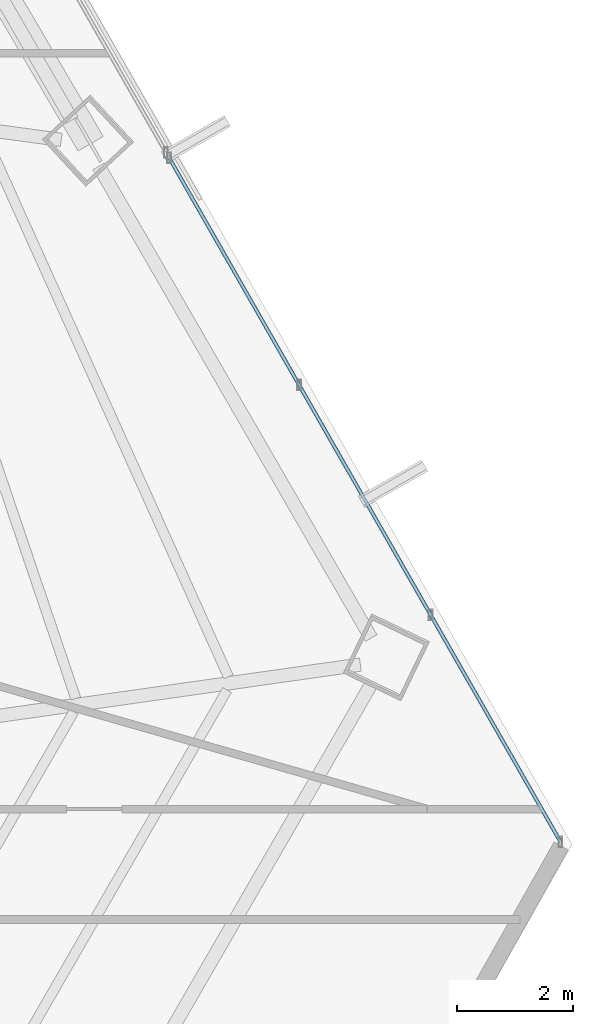
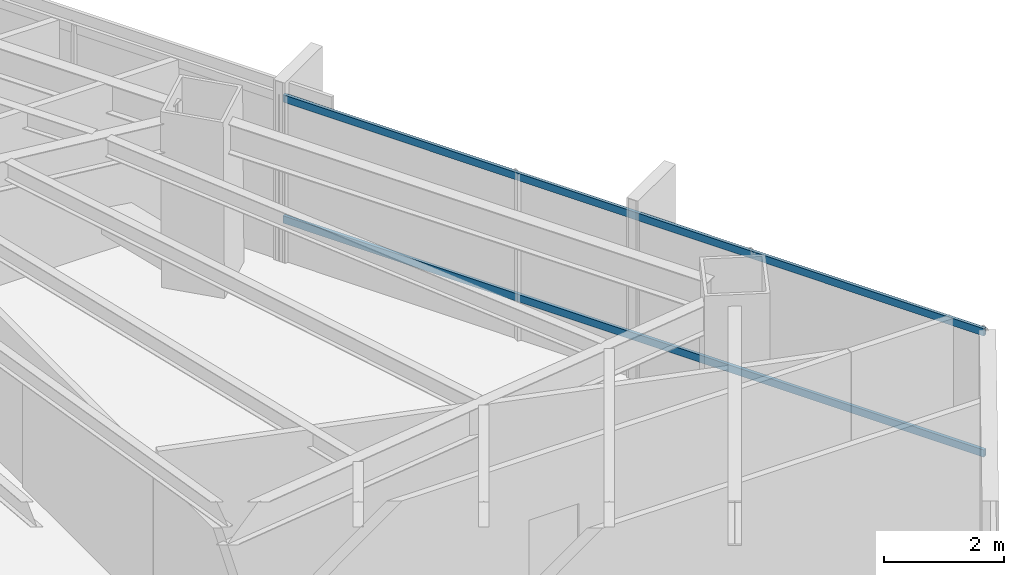
# One storey, part 23 of 36: 2 members, 1 element without a shape of its own.
"""IFC4 building model written with IfcOpenShell, lengths in metres."""

from ifc_helpers import new_model, si_unit, direction, frame, origin, origin_2d, place, context, subcontext, project, spatial, hollow_rectangle, extrude, source, transform, mapped, material, material_profile, profile_set, type_object, type_shapes, element, aggregate, save


model = new_model("IFC4")

# Units and contexts
model_context = context("Model", 3, precision=1e-05, world=origin(), true_north=direction((0.0, 1.0)))
body_context = subcontext(model_context, "Body", "Model", "MODEL_VIEW")
ifc_project = project(units=[si_unit("LENGTHUNIT", "METRE"), si_unit("AREAUNIT", "SQUARE_METRE"), si_unit("VOLUMEUNIT", "CUBIC_METRE"), si_unit("PLANEANGLEUNIT", "RADIAN"), si_unit("MASSUNIT", "GRAM", prefix="KILO")], contexts=[model_context])

# Site, building, storey
site_placement = place(None, origin())
site = spatial("IfcSite", under=ifc_project, at=site_placement, CompositionType="ELEMENT")
building_placement = place(site_placement, origin())
building = spatial("IfcBuilding", under=site, at=building_placement, Name="Caelisora Broadcast Tower", CompositionType="ELEMENT")
storey_placement = place(building_placement, frame((0.0, 0.0, 83.5)))
storey = spatial("IfcBuildingStorey", under=building, at=storey_placement, Name="L21", CompositionType="ELEMENT", Elevation=83.5)

# Curtain wall, members
ifc_material_1 = material(Name="Unitised Aluminium and Low-E Glass Curtain Wall", Category="glass")
curtain_wall_type = type_object("IfcCurtainWallType", Name="CW-Z2", PredefinedType="NOTDEFINED", material=ifc_material_1)
curtain_wall_placement = place(storey_placement, origin())
curtain_wall = element("IfcCurtainWall", 1, at=curtain_wall_placement, inside=storey, type_object=curtain_wall_type, Name="L21 curtain wall CW-Z2", PredefinedType="NOTDEFINED")
ifc_material_2 = material(Name="Aluminium 6063-T6 Anodised Terracotta Bronze", Category="aluminium")
ifc_material_profile = material_profile(ifc_material_2, hollow_rectangle(XDim=0.06005859375, YDim=0.14990234375, WallThickness=0.00341796875, at=origin_2d()), Name="Aluminium 6063-T6 Anodised Terracotta Bronze")
ifc_profile_set = profile_set([ifc_material_profile], Name="Aluminium 6063-T6 Anodised Terracotta Bronze")
member_type = type_object("IfcMemberType", Name="CWT-02", PredefinedType="USERDEFINED", material=ifc_profile_set)
shared_shape = source(origin(), body_context, "Body", "SweptSolid", [
    extrude(hollow_rectangle(XDim=0.06005859375, YDim=0.14990234375, WallThickness=0.00341796875, at=origin_2d()), origin(), (0.0, 0.0, 1.0), 13.554931640625),
])
type_shapes(member_type, [shared_shape])
member_1_placement = place(storey_placement, frame((57.62109375, 28.299072265625, 0.85009765625), z_axis=(0.496583053987, -0.867989211046, 0.0), x_axis=(0.867989211046, 0.496583053987, 0.0)))
member_1 = element("IfcMember", 2, at=member_1_placement, type_object=member_type, Name="L21-CW-B03 transom #1", ObjectType="TRANSOM", PredefinedType="USERDEFINED", context=body_context, shape_type="MappedRepresentation", body=[
    mapped(shared_shape, transform((0.0, 0.0, 0.0), scale=1.0)),
])
member_2_placement = place(storey_placement, frame((57.62109375, 28.299072265625, 3.320068359375), z_axis=(0.496583053987, -0.867989211046, 0.0), x_axis=(0.867989211046, 0.496583053987, 0.0)))
member_2 = element("IfcMember", 3, at=member_2_placement, type_object=member_type, Name="L21-CW-B03 transom #2", ObjectType="TRANSOM", PredefinedType="USERDEFINED", context=body_context, shape_type="MappedRepresentation", body=[
    mapped(shared_shape, transform((0.0, 0.0, 0.0), scale=1.0)),
])
aggregate(curtain_wall, [member_1, member_2])

save(model, "model.ifc")
